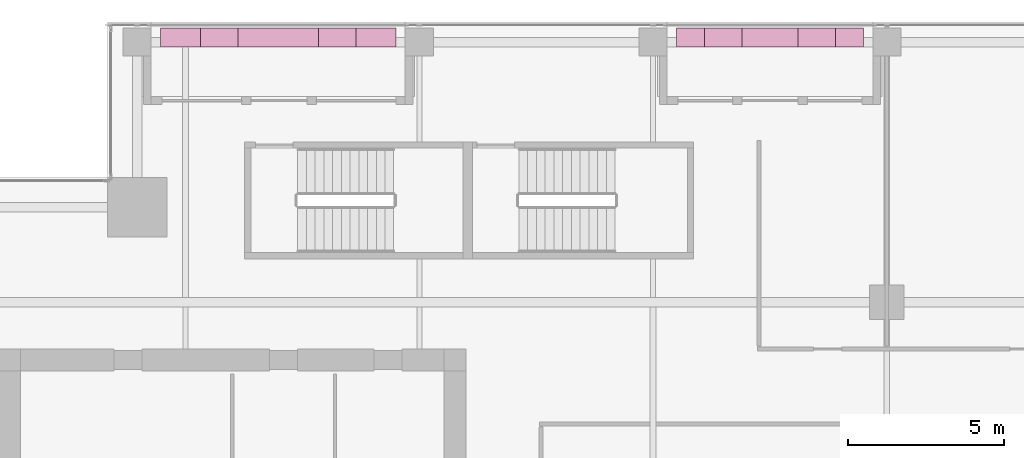
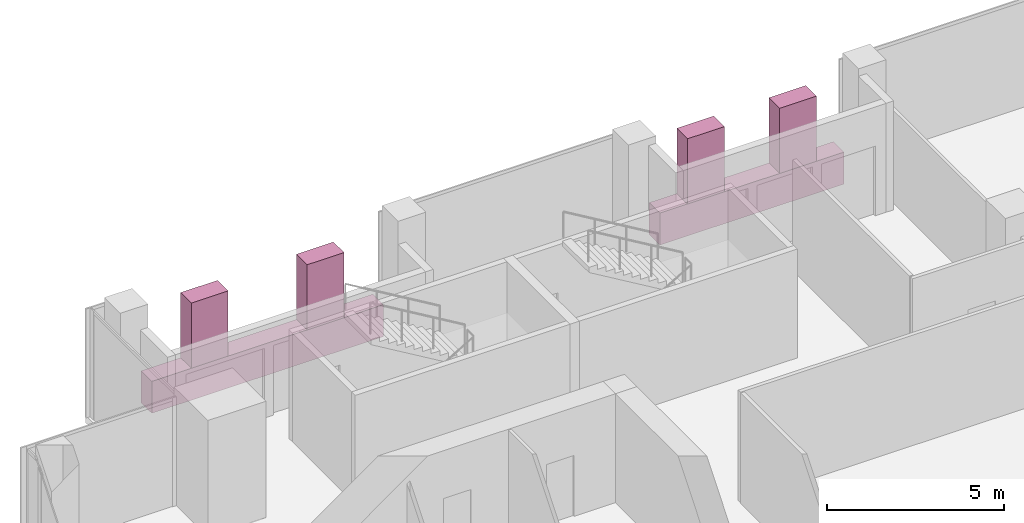
# One storey, part 35 of 35: 6 furnishings.
"""IFC4 building model written with IfcOpenShell, lengths in metres."""

from ifc_helpers import new_model, si_unit, direction, frame, origin, origin_2d, place, context, subcontext, project, spatial, rectangle, extrude, source, transform, mapped, material, type_object, element, save


model = new_model("IFC4")

# Units and contexts
model_context = context("Model", 3, precision=1e-05, world=origin(), true_north=direction((0.0, 1.0)))
body_context = subcontext(model_context, "Body", "Model", "MODEL_VIEW")
ifc_project = project(units=[si_unit("LENGTHUNIT", "METRE"), si_unit("AREAUNIT", "SQUARE_METRE"), si_unit("VOLUMEUNIT", "CUBIC_METRE"), si_unit("PLANEANGLEUNIT", "RADIAN"), si_unit("MASSUNIT", "GRAM", prefix="KILO")], contexts=[model_context])

# Site, building, storey
site_placement = place(None, origin())
site = spatial("IfcSite", under=ifc_project, at=site_placement, CompositionType="ELEMENT")
building_placement = place(site_placement, origin())
building = spatial("IfcBuilding", under=site, at=building_placement, Name="Khomas Fold Tower", CompositionType="ELEMENT")
storey_placement = place(building_placement, frame((0.0, 0.0, 270.199951171875)))
storey = spatial("IfcBuildingStorey", under=building, at=storey_placement, Name="L61", CompositionType="ELEMENT", Elevation=270.199951171875)

# Furnishings
ifc_material_1 = material(Name="Planting")
furnishing_element_type_1 = type_object("IfcFurnishingElementType", Name="BL-Tree Wild olive", material=ifc_material_1)
shared_shape_1 = source(origin(), body_context, "Body", "SweptSolid", [
    extrude(rectangle(XDim=1.199951171875, YDim=0.60009765625, at=origin_2d()), origin(), (0.0, 0.0, 1.0), 2.2451171875),
])
furnishing_1_placement = place(storey_placement, frame((13.08740234375, 49.0, 1.054931640625), z_axis=(0.0, 0.0, 1.0), x_axis=(1.0, 0.0, 0.0)))
element("IfcFurnishingElement", 1, at=furnishing_1_placement, inside=storey, type_object=furnishing_element_type_1, Name="PLANTER (TREE) Wild olive BAL-L61-N1-1", context=body_context, shape_type="MappedRepresentation", body=[
    mapped(shared_shape_1, transform((0.0, 0.0, 0.0))),
])
ifc_material_2 = material(Name="Planting")
furnishing_element_type_2 = type_object("IfcFurnishingElementType", Name="BL-Tree Shepherd's tree", material=ifc_material_2)
for number, where, z_axis, x_axis, name in (
    (2, (16.862548828125, 49.0, 1.054931640625), (0.0, 0.0, 1.0), (1.0, 0.0, 0.0), "PLANTER (TREE) Shepherd's tree BAL-L61-N1-2"),
    (3, (29.25, 49.0, 1.054931640625), (0.0, 0.0, 1.0), (1.0, 0.0, 0.0), "PLANTER (TREE) Shepherd's tree BAL-L61-N3-1"),
):
    element("IfcFurnishingElement", number, at=place(storey_placement, frame(where, z_axis=z_axis, x_axis=x_axis)), inside=storey, type_object=furnishing_element_type_2, Name=name, context=body_context, shape_type="MappedRepresentation", body=[
        mapped(shared_shape_1, transform((0.0, 0.0, 0.0))),
    ])
ifc_material_3 = material(Name="Planting")
furnishing_element_type_3 = type_object("IfcFurnishingElementType", Name="BL-Tree Karee", material=ifc_material_3)
furnishing_2_placement = place(storey_placement, frame((32.25, 49.0, 1.054931640625), z_axis=(0.0, 0.0, 1.0), x_axis=(1.0, 0.0, 0.0)))
element("IfcFurnishingElement", 4, at=furnishing_2_placement, inside=storey, type_object=furnishing_element_type_3, Name="PLANTER (TREE) Karee BAL-L61-N3-2", context=body_context, shape_type="MappedRepresentation", body=[
    mapped(shared_shape_1, transform((0.0, 0.0, 0.0))),
])
ifc_material_4 = material(Name="Precast concrete C40/50", Category="concrete")
furnishing_element_type_4 = type_object("IfcFurnishingElementType", Name="BL-Structural planter box", material=ifc_material_4)
shared_shape_2 = source(origin(), body_context, "Body", "SweptSolid", [
    extrude(rectangle(XDim=7.550048828125, YDim=0.60009765625, at=origin_2d()), origin(), (0.0, 0.0, 1.0), 1.10009765625),
])
furnishing_3_placement = place(storey_placement, frame((14.97509765625, 49.0, -0.044921875), z_axis=(0.0, 0.0, 1.0), x_axis=(1.0, 0.0, 0.0)))
element("IfcFurnishingElement", 5, at=furnishing_3_placement, inside=storey, type_object=furnishing_element_type_4, Name="PLANTER BAL-L61-N1", context=body_context, shape_type="MappedRepresentation", body=[
    mapped(shared_shape_2, transform((0.0, 0.0, 0.0))),
])
shared_shape_3 = source(origin(), body_context, "Body", "SweptSolid", [
    extrude(rectangle(XDim=6.0, YDim=0.60009765625, at=origin_2d()), origin(), (0.0, 0.0, 1.0), 1.10009765625),
])
furnishing_4_placement = place(storey_placement, frame((30.75, 49.0, -0.044921875), z_axis=(0.0, 0.0, 1.0), x_axis=(1.0, 0.0, 0.0)))
element("IfcFurnishingElement", 6, at=furnishing_4_placement, inside=storey, type_object=furnishing_element_type_4, Name="PLANTER BAL-L61-N3", context=body_context, shape_type="MappedRepresentation", body=[
    mapped(shared_shape_3, transform((0.0, 0.0, 0.0))),
])

save(model, "model.ifc")
